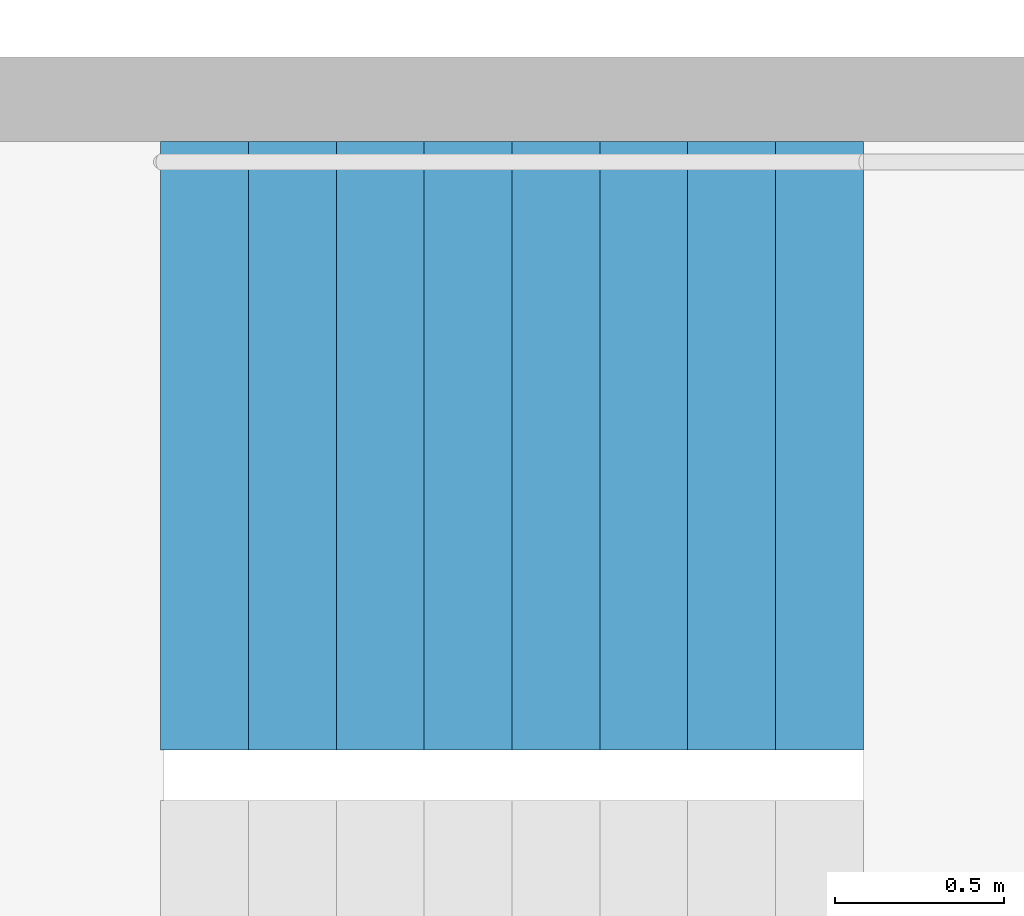
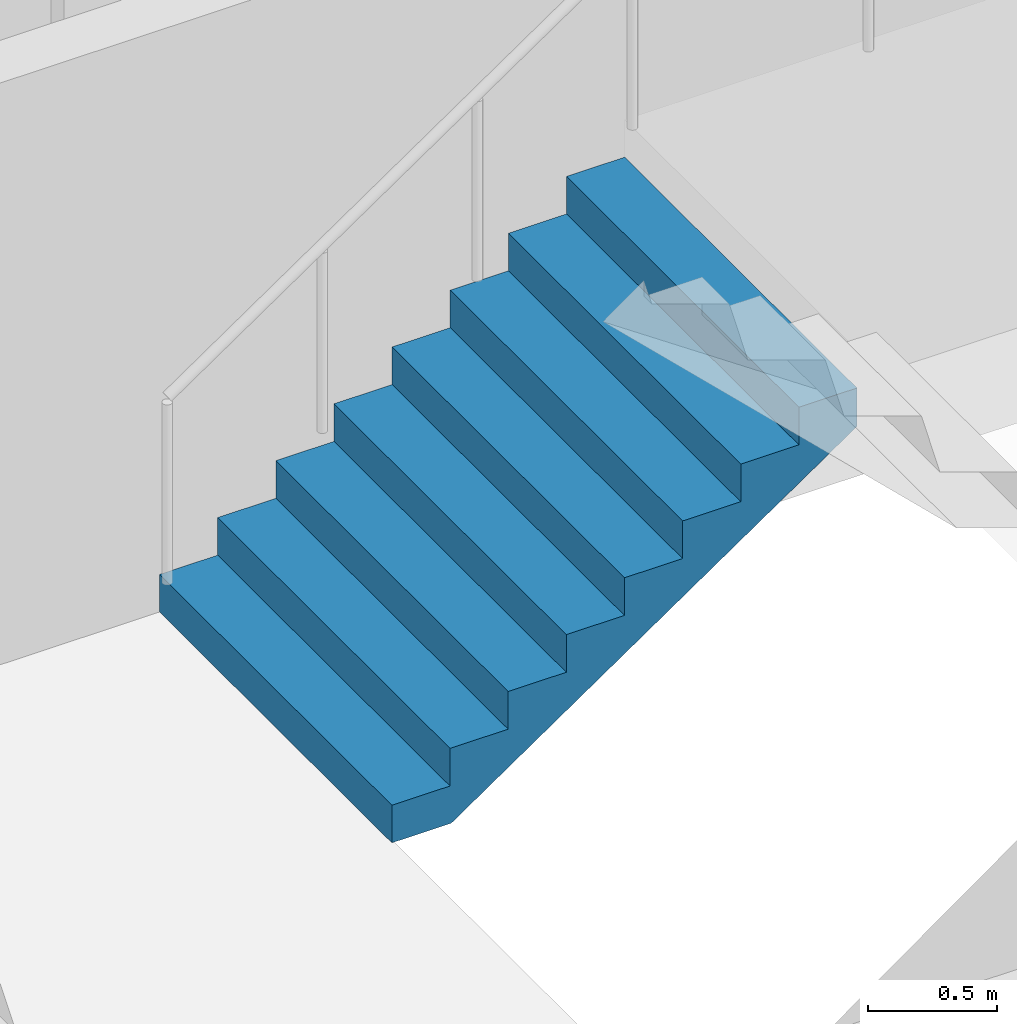
# One storey, part 23 of 26: 1 stair flight, 1 element without a shape of its own.
"""IFC4 building model written with IfcOpenShell, lengths in metres."""

from ifc_helpers import new_model, si_unit, direction, frame, origin, place, context, subcontext, project, spatial, triangles, material, type_object, element, aggregate, save


model = new_model("IFC4")

# Units and contexts
model_context = context("Model", 3, precision=1e-05, world=origin(), true_north=direction((0.0, 1.0)))
body_context = subcontext(model_context, "Body", "Model", "MODEL_VIEW")
ifc_project = project(units=[si_unit("LENGTHUNIT", "METRE"), si_unit("AREAUNIT", "SQUARE_METRE"), si_unit("VOLUMEUNIT", "CUBIC_METRE"), si_unit("PLANEANGLEUNIT", "RADIAN"), si_unit("MASSUNIT", "GRAM", prefix="KILO")], contexts=[model_context])

# Site, building, storey
site_placement = place(None, origin())
site = spatial("IfcSite", under=ifc_project, at=site_placement, CompositionType="ELEMENT")
building_placement = place(site_placement, origin())
building = spatial("IfcBuilding", under=site, at=building_placement, Name="Hakoniwa Tower and Hamabe Station Hall", CompositionType="ELEMENT")
storey_placement = place(building_placement, frame((0.0, 0.0, 134.199951171875)))
storey = spatial("IfcBuildingStorey", under=building, at=storey_placement, Name="L37", CompositionType="ELEMENT", Elevation=134.199951171875)

# Stair, stair flight
ifc_material_1 = material(Name="Concrete C40", Category="concrete")
stair_type = type_object("IfcStairType", Name="ESCAPE STAIR 1800", PredefinedType="HALF_TURN_STAIR", material=ifc_material_1)
stair_placement = place(storey_placement, origin())
stair = element("IfcStair", 1, at=stair_placement, inside=storey, type_object=stair_type, Name="Escape stair ST-4 L37", PredefinedType="HALF_TURN_STAIR")
ifc_material_2 = material(Name="Concrete C40", Category="concrete")
stair_flight_type = type_object("IfcStairFlightType", Name="STAIR FLIGHT 1800", PredefinedType="STRAIGHT", material=ifc_material_2)
stair_flight_placement = place(storey_placement, frame((23.39990234375, -4.64990234375, 0.0), z_axis=(0.0, 0.0, 1.0), x_axis=(1.0, 0.0, 0.0)))
stair_flight = element("IfcStairFlight", 2, at=stair_flight_placement, type_object=stair_flight_type, Name="ST-4 flight 1", NumberOfRisers=9, NumberOfTreads=8, PredefinedType="STRAIGHT", RiserHeight=0.177777778, TreadLength=0.26, context=body_context, shape_type="Tessellation", body=[
    triangles([(0.0, 0.89990234375, 0.0), (0.260009765625, 0.89990234375, 0.0), (0.265625, 0.89990234375, 0.0), (0.52001953125, 0.89990234375, 0.174072265625), (0.780029296875, 0.89990234375, 0.351806640625), (1.0400390625, 0.89990234375, 0.529541015625), (1.300048828125, 0.89990234375, 0.707275390625), (1.56005859375, 0.89990234375, 0.885009765625), (1.820068359375, 0.89990234375, 1.062744140625), (2.080078125, 0.89990234375, 1.24072265625), (2.080078125, 0.89990234375, 1.422119140625), (1.820068359375, 0.89990234375, 1.422119140625), (1.820068359375, 0.89990234375, 1.244384765625), (1.56005859375, 0.89990234375, 1.244384765625), (1.56005859375, 0.89990234375, 1.066650390625), (1.300048828125, 0.89990234375, 1.066650390625), (1.300048828125, 0.89990234375, 0.888916015625), (1.0400390625, 0.89990234375, 0.888916015625), (1.0400390625, 0.89990234375, 0.711181640625), (0.780029296875, 0.89990234375, 0.711181640625), (0.780029296875, 0.89990234375, 0.533447265625), (0.52001953125, 0.89990234375, 0.533447265625), (0.52001953125, 0.89990234375, 0.35546875), (0.265625, 0.89990234375, 0.35546875), (0.260009765625, 0.89990234375, 0.35546875), (0.260009765625, 0.89990234375, 0.177734375), (0.0, 0.89990234375, 0.177734375), (0.0, 0.06005859375, 0.0), (0.260009765625, 0.06005859375, 0.0), (0.265625, 0.06005859375, 0.0), (0.52001953125, 0.06005859375, 0.174072265625), (0.780029296875, 0.06005859375, 0.351806640625), (1.0400390625, 0.06005859375, 0.529541015625), (1.300048828125, 0.06005859375, 0.707275390625), (1.56005859375, 0.06005859375, 0.885009765625), (1.820068359375, 0.06005859375, 1.062744140625), (2.080078125, 0.06005859375, 1.24072265625), (2.080078125, 0.06005859375, 1.422119140625), (1.820068359375, 0.06005859375, 1.422119140625), (1.820068359375, 0.06005859375, 1.244384765625), (1.56005859375, 0.06005859375, 1.244384765625), (1.56005859375, 0.06005859375, 1.066650390625), (1.300048828125, 0.06005859375, 1.066650390625), (1.300048828125, 0.06005859375, 0.888916015625), (1.0400390625, 0.06005859375, 0.888916015625), (1.0400390625, 0.06005859375, 0.711181640625), (0.780029296875, 0.06005859375, 0.711181640625), (0.780029296875, 0.06005859375, 0.533447265625), (0.52001953125, 0.06005859375, 0.533447265625), (0.52001953125, 0.06005859375, 0.35546875), (0.265625, 0.06005859375, 0.35546875), (0.260009765625, 0.06005859375, 0.35546875), (0.260009765625, 0.06005859375, 0.177734375), (0.0, 0.06005859375, 0.177734375), (0.0, 0.04296875, 0.0), (0.260009765625, 0.04296875, 0.0), (0.265625, 0.04296875, 0.0), (0.52001953125, 0.04296875, 0.174072265625), (0.780029296875, 0.04296875, 0.351806640625), (1.0400390625, 0.04296875, 0.529541015625), (1.300048828125, 0.04296875, 0.707275390625), (1.56005859375, 0.04296875, 0.885009765625), (1.820068359375, 0.04296875, 1.062744140625), (2.080078125, 0.04296875, 1.24072265625), (2.080078125, 0.04296875, 1.422119140625), (1.820068359375, 0.04296875, 1.422119140625), (1.820068359375, 0.04296875, 1.244384765625), (1.56005859375, 0.04296875, 1.244384765625), (1.56005859375, 0.04296875, 1.066650390625), (1.300048828125, 0.04296875, 1.066650390625), (1.300048828125, 0.04296875, 0.888916015625), (1.0400390625, 0.04296875, 0.888916015625), (1.0400390625, 0.04296875, 0.711181640625), (0.780029296875, 0.04296875, 0.711181640625), (0.780029296875, 0.04296875, 0.533447265625), (0.52001953125, 0.04296875, 0.533447265625), (0.52001953125, 0.04296875, 0.35546875), (0.265625, 0.04296875, 0.35546875), (0.260009765625, 0.04296875, 0.35546875), (0.260009765625, 0.04296875, 0.177734375), (0.0, 0.04296875, 0.177734375), (0.0, 0.025634765625, 0.0), (0.260009765625, 0.025634765625, 0.0), (0.265625, 0.025634765625, 0.0), (0.52001953125, 0.025634765625, 0.174072265625), (0.780029296875, 0.025634765625, 0.351806640625), (1.0400390625, 0.025634765625, 0.529541015625), (1.300048828125, 0.025634765625, 0.707275390625), (1.56005859375, 0.025634765625, 0.885009765625), (1.820068359375, 0.025634765625, 1.062744140625), (2.080078125, 0.025634765625, 1.24072265625), (2.080078125, 0.025634765625, 1.422119140625), (1.820068359375, 0.025634765625, 1.422119140625), (1.820068359375, 0.025634765625, 1.244384765625), (1.56005859375, 0.025634765625, 1.244384765625), (1.56005859375, 0.025634765625, 1.066650390625), (1.300048828125, 0.025634765625, 1.066650390625), (1.300048828125, 0.025634765625, 0.888916015625), (1.0400390625, 0.025634765625, 0.888916015625), (1.0400390625, 0.025634765625, 0.711181640625), (0.780029296875, 0.025634765625, 0.711181640625), (0.780029296875, 0.025634765625, 0.533447265625), (0.52001953125, 0.025634765625, 0.533447265625), (0.52001953125, 0.025634765625, 0.35546875), (0.265625, 0.025634765625, 0.35546875), (0.260009765625, 0.025634765625, 0.35546875), (0.260009765625, 0.025634765625, 0.177734375), (0.0, 0.025634765625, 0.177734375), (0.0, 0.008544921875, 0.0), (0.260009765625, 0.008544921875, 0.0), (0.265625, 0.008544921875, 0.0), (0.52001953125, 0.008544921875, 0.174072265625), (0.780029296875, 0.008544921875, 0.351806640625), (1.0400390625, 0.008544921875, 0.529541015625), (1.300048828125, 0.008544921875, 0.707275390625), (1.56005859375, 0.008544921875, 0.885009765625), (1.820068359375, 0.008544921875, 1.062744140625), (2.080078125, 0.008544921875, 1.24072265625), (2.080078125, 0.008544921875, 1.422119140625), (1.820068359375, 0.008544921875, 1.422119140625), (1.820068359375, 0.008544921875, 1.244384765625), (1.56005859375, 0.008544921875, 1.244384765625), (1.56005859375, 0.008544921875, 1.066650390625), (1.300048828125, 0.008544921875, 1.066650390625), (1.300048828125, 0.008544921875, 0.888916015625), (1.0400390625, 0.008544921875, 0.888916015625), (1.0400390625, 0.008544921875, 0.711181640625), (0.780029296875, 0.008544921875, 0.711181640625), (0.780029296875, 0.008544921875, 0.533447265625), (0.52001953125, 0.008544921875, 0.533447265625), (0.52001953125, 0.008544921875, 0.35546875), (0.265625, 0.008544921875, 0.35546875), (0.260009765625, 0.008544921875, 0.35546875), (0.260009765625, 0.008544921875, 0.177734375), (0.0, 0.008544921875, 0.177734375), (0.0, -0.008544921875, 0.0), (0.260009765625, -0.008544921875, 0.0), (0.265625, -0.008544921875, 0.0), (0.52001953125, -0.008544921875, 0.174072265625), (0.780029296875, -0.008544921875, 0.351806640625), (1.0400390625, -0.008544921875, 0.529541015625), (1.300048828125, -0.008544921875, 0.707275390625), (1.56005859375, -0.008544921875, 0.885009765625), (1.820068359375, -0.008544921875, 1.062744140625), (2.080078125, -0.008544921875, 1.24072265625), (2.080078125, -0.008544921875, 1.422119140625), (1.820068359375, -0.008544921875, 1.422119140625), (1.820068359375, -0.008544921875, 1.244384765625), (1.56005859375, -0.008544921875, 1.244384765625), (1.56005859375, -0.008544921875, 1.066650390625), (1.300048828125, -0.008544921875, 1.066650390625), (1.300048828125, -0.008544921875, 0.888916015625), (1.0400390625, -0.008544921875, 0.888916015625), (1.0400390625, -0.008544921875, 0.711181640625), (0.780029296875, -0.008544921875, 0.711181640625), (0.780029296875, -0.008544921875, 0.533447265625), (0.52001953125, -0.008544921875, 0.533447265625), (0.52001953125, -0.008544921875, 0.35546875), (0.265625, -0.008544921875, 0.35546875), (0.260009765625, -0.008544921875, 0.35546875), (0.260009765625, -0.008544921875, 0.177734375), (0.0, -0.008544921875, 0.177734375), (0.0, -0.025634765625, 0.0), (0.260009765625, -0.025634765625, 0.0), (0.265625, -0.025634765625, 0.0), (0.52001953125, -0.025634765625, 0.174072265625), (0.780029296875, -0.025634765625, 0.351806640625), (1.0400390625, -0.025634765625, 0.529541015625), (1.300048828125, -0.025634765625, 0.707275390625), (1.56005859375, -0.025634765625, 0.885009765625), (1.820068359375, -0.025634765625, 1.062744140625), (2.080078125, -0.025634765625, 1.24072265625), (2.080078125, -0.025634765625, 1.422119140625), (1.820068359375, -0.025634765625, 1.422119140625), (1.820068359375, -0.025634765625, 1.244384765625), (1.56005859375, -0.025634765625, 1.244384765625), (1.56005859375, -0.025634765625, 1.066650390625), (1.300048828125, -0.025634765625, 1.066650390625), (1.300048828125, -0.025634765625, 0.888916015625), (1.0400390625, -0.025634765625, 0.888916015625), (1.0400390625, -0.025634765625, 0.711181640625), (0.780029296875, -0.025634765625, 0.711181640625), (0.780029296875, -0.025634765625, 0.533447265625), (0.52001953125, -0.025634765625, 0.533447265625), (0.52001953125, -0.025634765625, 0.35546875), (0.265625, -0.025634765625, 0.35546875), (0.260009765625, -0.025634765625, 0.35546875), (0.260009765625, -0.025634765625, 0.177734375), (0.0, -0.025634765625, 0.177734375), (0.0, -0.04296875, 0.0), (0.260009765625, -0.04296875, 0.0), (0.265625, -0.04296875, 0.0), (0.52001953125, -0.04296875, 0.174072265625), (0.780029296875, -0.04296875, 0.351806640625), (1.0400390625, -0.04296875, 0.529541015625), (1.300048828125, -0.04296875, 0.707275390625), (1.56005859375, -0.04296875, 0.885009765625), (1.820068359375, -0.04296875, 1.062744140625), (2.080078125, -0.04296875, 1.24072265625), (2.080078125, -0.04296875, 1.422119140625), (1.820068359375, -0.04296875, 1.422119140625), (1.820068359375, -0.04296875, 1.244384765625), (1.56005859375, -0.04296875, 1.244384765625), (1.56005859375, -0.04296875, 1.066650390625), (1.300048828125, -0.04296875, 1.066650390625), (1.300048828125, -0.04296875, 0.888916015625), (1.0400390625, -0.04296875, 0.888916015625), (1.0400390625, -0.04296875, 0.711181640625), (0.780029296875, -0.04296875, 0.711181640625), (0.780029296875, -0.04296875, 0.533447265625), (0.52001953125, -0.04296875, 0.533447265625), (0.52001953125, -0.04296875, 0.35546875), (0.265625, -0.04296875, 0.35546875), (0.260009765625, -0.04296875, 0.35546875), (0.260009765625, -0.04296875, 0.177734375), (0.0, -0.04296875, 0.177734375), (0.0, -0.06005859375, 0.0), (0.260009765625, -0.06005859375, 0.0), (0.265625, -0.06005859375, 0.0), (0.52001953125, -0.06005859375, 0.174072265625), (0.780029296875, -0.06005859375, 0.351806640625), (1.0400390625, -0.06005859375, 0.529541015625), (1.300048828125, -0.06005859375, 0.707275390625), (1.56005859375, -0.06005859375, 0.885009765625), (1.820068359375, -0.06005859375, 1.062744140625), (2.080078125, -0.06005859375, 1.24072265625), (2.080078125, -0.06005859375, 1.422119140625), (1.820068359375, -0.06005859375, 1.422119140625), (1.820068359375, -0.06005859375, 1.244384765625), (1.56005859375, -0.06005859375, 1.244384765625), (1.56005859375, -0.06005859375, 1.066650390625), (1.300048828125, -0.06005859375, 1.066650390625), (1.300048828125, -0.06005859375, 0.888916015625), (1.0400390625, -0.06005859375, 0.888916015625), (1.0400390625, -0.06005859375, 0.711181640625), (0.780029296875, -0.06005859375, 0.711181640625), (0.780029296875, -0.06005859375, 0.533447265625), (0.52001953125, -0.06005859375, 0.533447265625), (0.52001953125, -0.06005859375, 0.35546875), (0.265625, -0.06005859375, 0.35546875), (0.260009765625, -0.06005859375, 0.35546875), (0.260009765625, -0.06005859375, 0.177734375), (0.0, -0.06005859375, 0.177734375), (0.0, -0.89990234375, 0.0), (0.260009765625, -0.89990234375, 0.0), (0.265625, -0.89990234375, 0.0), (0.52001953125, -0.89990234375, 0.174072265625), (0.780029296875, -0.89990234375, 0.351806640625), (1.0400390625, -0.89990234375, 0.529541015625), (1.300048828125, -0.89990234375, 0.707275390625), (1.56005859375, -0.89990234375, 0.885009765625), (1.820068359375, -0.89990234375, 1.062744140625), (2.080078125, -0.89990234375, 1.24072265625), (2.080078125, -0.89990234375, 1.422119140625), (1.820068359375, -0.89990234375, 1.422119140625), (1.820068359375, -0.89990234375, 1.244384765625), (1.56005859375, -0.89990234375, 1.244384765625), (1.56005859375, -0.89990234375, 1.066650390625), (1.300048828125, -0.89990234375, 1.066650390625), (1.300048828125, -0.89990234375, 0.888916015625), (1.0400390625, -0.89990234375, 0.888916015625), (1.0400390625, -0.89990234375, 0.711181640625), (0.780029296875, -0.89990234375, 0.711181640625), (0.780029296875, -0.89990234375, 0.533447265625), (0.52001953125, -0.89990234375, 0.533447265625), (0.52001953125, -0.89990234375, 0.35546875), (0.265625, -0.89990234375, 0.35546875), (0.260009765625, -0.89990234375, 0.35546875), (0.260009765625, -0.89990234375, 0.177734375), (0.0, -0.89990234375, 0.177734375)], [[2, 27, 26], [245, 269, 270], [2, 1, 27], [245, 270, 244], [3, 25, 24], [246, 267, 268], [3, 26, 25], [246, 268, 269], [3, 2, 26], [246, 269, 245], [4, 24, 23], [247, 266, 267], [4, 3, 24], [247, 267, 246], [5, 22, 21], [248, 264, 265], [5, 23, 22], [248, 265, 266], [5, 4, 23], [248, 266, 247], [6, 20, 19], [249, 262, 263], [6, 21, 20], [249, 263, 264], [6, 5, 21], [249, 264, 248], [7, 18, 17], [250, 260, 261], [7, 19, 18], [250, 261, 262], [7, 6, 19], [250, 262, 249], [8, 16, 15], [251, 258, 259], [8, 17, 16], [251, 259, 260], [8, 7, 17], [251, 260, 250], [9, 14, 13], [252, 256, 257], [9, 15, 14], [252, 257, 258], [9, 8, 15], [252, 258, 251], [10, 12, 11], [253, 254, 255], [10, 13, 12], [253, 255, 256], [10, 9, 13], [253, 256, 252], [1, 2, 29], [1, 29, 28], [28, 29, 56], [28, 56, 55], [55, 56, 83], [55, 83, 82], [82, 83, 110], [82, 110, 109], [109, 110, 137], [109, 137, 136], [136, 137, 164], [136, 164, 163], [163, 164, 191], [163, 191, 190], [190, 191, 218], [190, 218, 217], [217, 218, 245], [217, 245, 244], [2, 3, 30], [2, 30, 29], [29, 30, 57], [29, 57, 56], [56, 57, 84], [56, 84, 83], [83, 84, 111], [83, 111, 110], [110, 111, 138], [110, 138, 137], [137, 138, 165], [137, 165, 164], [164, 165, 192], [164, 192, 191], [191, 192, 219], [191, 219, 218], [218, 219, 246], [218, 246, 245], [3, 4, 31], [3, 31, 30], [30, 31, 58], [30, 58, 57], [57, 58, 85], [57, 85, 84], [84, 85, 112], [84, 112, 111], [111, 112, 139], [111, 139, 138], [138, 139, 166], [138, 166, 165], [165, 166, 193], [165, 193, 192], [192, 193, 220], [192, 220, 219], [219, 220, 247], [219, 247, 246], [4, 5, 32], [4, 32, 31], [31, 32, 59], [31, 59, 58], [58, 59, 86], [58, 86, 85], [85, 86, 113], [85, 113, 112], [112, 113, 140], [112, 140, 139], [139, 140, 167], [139, 167, 166], [166, 167, 194], [166, 194, 193], [193, 194, 221], [193, 221, 220], [220, 221, 248], [220, 248, 247], [5, 6, 33], [5, 33, 32], [32, 33, 60], [32, 60, 59], [59, 60, 87], [59, 87, 86], [86, 87, 114], [86, 114, 113], [113, 114, 141], [113, 141, 140], [140, 141, 168], [140, 168, 167], [167, 168, 195], [167, 195, 194], [194, 195, 222], [194, 222, 221], [221, 222, 249], [221, 249, 248], [6, 7, 34], [6, 34, 33], [33, 34, 61], [33, 61, 60], [60, 61, 88], [60, 88, 87], [87, 88, 115], [87, 115, 114], [114, 115, 142], [114, 142, 141], [141, 142, 169], [141, 169, 168], [168, 169, 196], [168, 196, 195], [195, 196, 223], [195, 223, 222], [222, 223, 250], [222, 250, 249], [7, 8, 35], [7, 35, 34], [34, 35, 62], [34, 62, 61], [61, 62, 89], [61, 89, 88], [88, 89, 116], [88, 116, 115], [115, 116, 143], [115, 143, 142], [142, 143, 170], [142, 170, 169], [169, 170, 197], [169, 197, 196], [196, 197, 224], [196, 224, 223], [223, 224, 251], [223, 251, 250], [8, 9, 36], [8, 36, 35], [35, 36, 63], [35, 63, 62], [62, 63, 90], [62, 90, 89], [89, 90, 117], [89, 117, 116], [116, 117, 144], [116, 144, 143], [143, 144, 171], [143, 171, 170], [170, 171, 198], [170, 198, 197], [197, 198, 225], [197, 225, 224], [224, 225, 252], [224, 252, 251], [9, 10, 37], [9, 37, 36], [36, 37, 64], [36, 64, 63], [63, 64, 91], [63, 91, 90], [90, 91, 118], [90, 118, 117], [117, 118, 145], [117, 145, 144], [144, 145, 172], [144, 172, 171], [171, 172, 199], [171, 199, 198], [198, 199, 226], [198, 226, 225], [225, 226, 253], [225, 253, 252], [10, 11, 38], [10, 38, 37], [37, 38, 65], [37, 65, 64], [64, 65, 92], [64, 92, 91], [91, 92, 119], [91, 119, 118], [118, 119, 146], [118, 146, 145], [145, 146, 173], [145, 173, 172], [172, 173, 200], [172, 200, 199], [199, 200, 227], [199, 227, 226], [226, 227, 254], [226, 254, 253], [11, 12, 39], [11, 39, 38], [38, 39, 66], [38, 66, 65], [65, 66, 93], [65, 93, 92], [92, 93, 120], [92, 120, 119], [119, 120, 147], [119, 147, 146], [146, 147, 174], [146, 174, 173], [173, 174, 201], [173, 201, 200], [200, 201, 228], [200, 228, 227], [227, 228, 255], [227, 255, 254], [12, 13, 40], [12, 40, 39], [39, 40, 67], [39, 67, 66], [66, 67, 94], [66, 94, 93], [93, 94, 121], [93, 121, 120], [120, 121, 148], [120, 148, 147], [147, 148, 175], [147, 175, 174], [174, 175, 202], [174, 202, 201], [201, 202, 229], [201, 229, 228], [228, 229, 256], [228, 256, 255], [13, 14, 41], [13, 41, 40], [40, 41, 68], [40, 68, 67], [67, 68, 95], [67, 95, 94], [94, 95, 122], [94, 122, 121], [121, 122, 149], [121, 149, 148], [148, 149, 176], [148, 176, 175], [175, 176, 203], [175, 203, 202], [202, 203, 230], [202, 230, 229], [229, 230, 257], [229, 257, 256], [14, 15, 42], [14, 42, 41], [41, 42, 69], [41, 69, 68], [68, 69, 96], [68, 96, 95], [95, 96, 123], [95, 123, 122], [122, 123, 150], [122, 150, 149], [149, 150, 177], [149, 177, 176], [176, 177, 204], [176, 204, 203], [203, 204, 231], [203, 231, 230], [230, 231, 258], [230, 258, 257], [15, 16, 43], [15, 43, 42], [42, 43, 70], [42, 70, 69], [69, 70, 97], [69, 97, 96], [96, 97, 124], [96, 124, 123], [123, 124, 151], [123, 151, 150], [150, 151, 178], [150, 178, 177], [177, 178, 205], [177, 205, 204], [204, 205, 232], [204, 232, 231], [231, 232, 259], [231, 259, 258], [16, 17, 44], [16, 44, 43], [43, 44, 71], [43, 71, 70], [70, 71, 98], [70, 98, 97], [97, 98, 125], [97, 125, 124], [124, 125, 152], [124, 152, 151], [151, 152, 179], [151, 179, 178], [178, 179, 206], [178, 206, 205], [205, 206, 233], [205, 233, 232], [232, 233, 260], [232, 260, 259], [17, 18, 45], [17, 45, 44], [44, 45, 72], [44, 72, 71], [71, 72, 99], [71, 99, 98], [98, 99, 126], [98, 126, 125], [125, 126, 153], [125, 153, 152], [152, 153, 180], [152, 180, 179], [179, 180, 207], [179, 207, 206], [206, 207, 234], [206, 234, 233], [233, 234, 261], [233, 261, 260], [18, 19, 46], [18, 46, 45], [45, 46, 73], [45, 73, 72], [72, 73, 100], [72, 100, 99], [99, 100, 127], [99, 127, 126], [126, 127, 154], [126, 154, 153], [153, 154, 181], [153, 181, 180], [180, 181, 208], [180, 208, 207], [207, 208, 235], [207, 235, 234], [234, 235, 262], [234, 262, 261], [19, 20, 47], [19, 47, 46], [46, 47, 74], [46, 74, 73], [73, 74, 101], [73, 101, 100], [100, 101, 128], [100, 128, 127], [127, 128, 155], [127, 155, 154], [154, 155, 182], [154, 182, 181], [181, 182, 209], [181, 209, 208], [208, 209, 236], [208, 236, 235], [235, 236, 263], [235, 263, 262], [20, 21, 48], [20, 48, 47], [47, 48, 75], [47, 75, 74], [74, 75, 102], [74, 102, 101], [101, 102, 129], [101, 129, 128], [128, 129, 156], [128, 156, 155], [155, 156, 183], [155, 183, 182], [182, 183, 210], [182, 210, 209], [209, 210, 237], [209, 237, 236], [236, 237, 264], [236, 264, 263], [21, 22, 49], [21, 49, 48], [48, 49, 76], [48, 76, 75], [75, 76, 103], [75, 103, 102], [102, 103, 130], [102, 130, 129], [129, 130, 157], [129, 157, 156], [156, 157, 184], [156, 184, 183], [183, 184, 211], [183, 211, 210], [210, 211, 238], [210, 238, 237], [237, 238, 265], [237, 265, 264], [22, 23, 50], [22, 50, 49], [49, 50, 77], [49, 77, 76], [76, 77, 104], [76, 104, 103], [103, 104, 131], [103, 131, 130], [130, 131, 158], [130, 158, 157], [157, 158, 185], [157, 185, 184], [184, 185, 212], [184, 212, 211], [211, 212, 239], [211, 239, 238], [238, 239, 266], [238, 266, 265], [23, 24, 51], [23, 51, 50], [50, 51, 78], [50, 78, 77], [77, 78, 105], [77, 105, 104], [104, 105, 132], [104, 132, 131], [131, 132, 159], [131, 159, 158], [158, 159, 186], [158, 186, 185], [185, 186, 213], [185, 213, 212], [212, 213, 240], [212, 240, 239], [239, 240, 267], [239, 267, 266], [24, 25, 52], [24, 52, 51], [51, 52, 79], [51, 79, 78], [78, 79, 106], [78, 106, 105], [105, 106, 133], [105, 133, 132], [132, 133, 160], [132, 160, 159], [159, 160, 187], [159, 187, 186], [186, 187, 214], [186, 214, 213], [213, 214, 241], [213, 241, 240], [240, 241, 268], [240, 268, 267], [25, 26, 53], [25, 53, 52], [52, 53, 80], [52, 80, 79], [79, 80, 107], [79, 107, 106], [106, 107, 134], [106, 134, 133], [133, 134, 161], [133, 161, 160], [160, 161, 188], [160, 188, 187], [187, 188, 215], [187, 215, 214], [214, 215, 242], [214, 242, 241], [241, 242, 269], [241, 269, 268], [26, 27, 54], [26, 54, 53], [53, 54, 81], [53, 81, 80], [80, 81, 108], [80, 108, 107], [107, 108, 135], [107, 135, 134], [134, 135, 162], [134, 162, 161], [161, 162, 189], [161, 189, 188], [188, 189, 216], [188, 216, 215], [215, 216, 243], [215, 243, 242], [242, 243, 270], [242, 270, 269], [27, 1, 28], [27, 28, 54], [54, 28, 55], [54, 55, 81], [81, 55, 82], [81, 82, 108], [108, 82, 109], [108, 109, 135], [135, 109, 136], [135, 136, 162], [162, 136, 163], [162, 163, 189], [189, 163, 190], [189, 190, 216], [216, 190, 217], [216, 217, 243], [243, 217, 244], [243, 244, 270]], closed=True),
])
aggregate(stair, [stair_flight])

save(model, "model.ifc")
